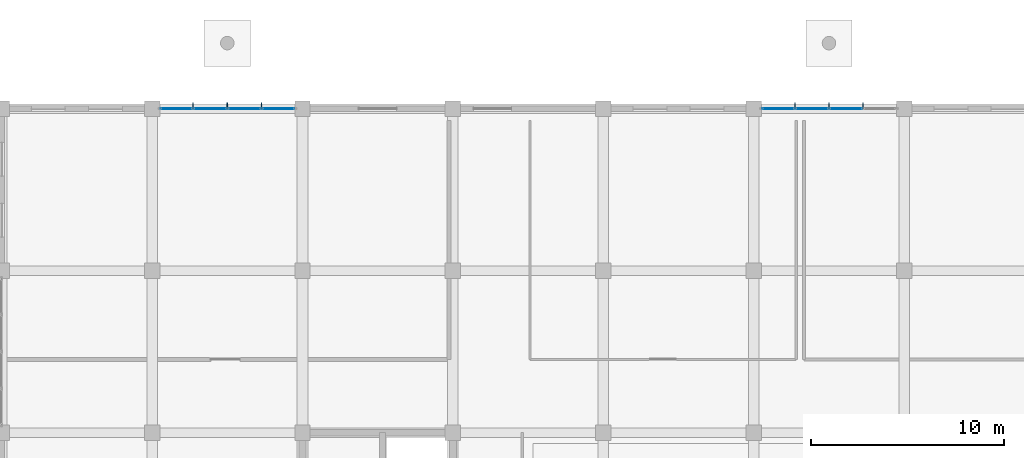
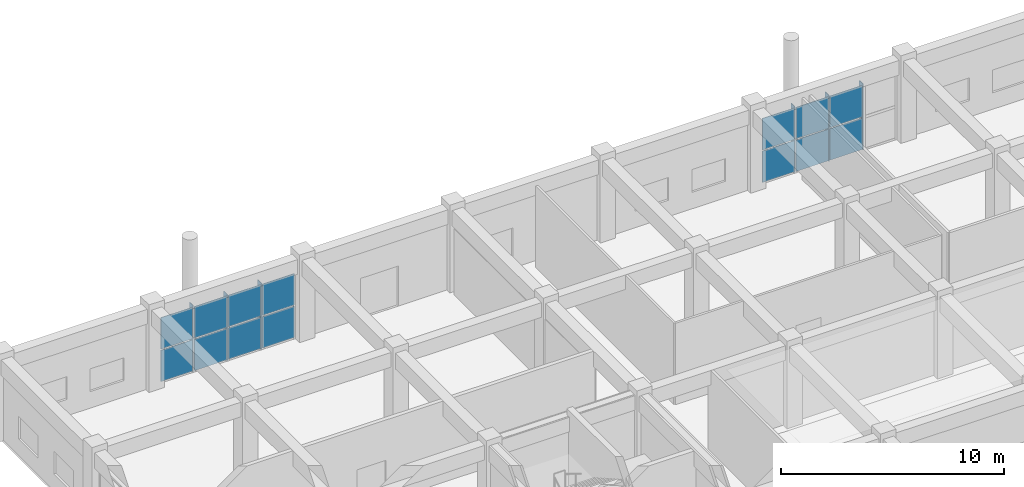
# One storey, part 118 of 139: 20 plates, 2 elements without a shape of their own.
"""IFC4 building model written with IfcOpenShell, lengths in metres."""

from ifc_helpers import new_model, si_unit, direction, frame, origin, origin_2d, place, context, subcontext, project, spatial, polyline, rectangle, outline, extrude, material, layer, layer_set, type_object, element, aggregate, save


model = new_model("IFC4")

# Units and contexts
model_context = context("Model", 3, precision=1e-05, world=origin(), true_north=direction((0.0, 1.0)))
body_context = subcontext(model_context, "Body", "Model", "MODEL_VIEW")
ifc_project = project(units=[si_unit("LENGTHUNIT", "METRE"), si_unit("AREAUNIT", "SQUARE_METRE"), si_unit("VOLUMEUNIT", "CUBIC_METRE"), si_unit("PLANEANGLEUNIT", "RADIAN"), si_unit("MASSUNIT", "GRAM", prefix="KILO")], contexts=[model_context])

# Site, building, storey
site_placement = place(None, origin())
site = spatial("IfcSite", under=ifc_project, at=site_placement, CompositionType="ELEMENT")
building_placement = place(site_placement, origin())
building = spatial("IfcBuilding", under=site, at=building_placement, Name="Zizhar Promenade General Hospital", CompositionType="ELEMENT")
storey_placement = place(building_placement, origin())
storey = spatial("IfcBuildingStorey", under=building, at=storey_placement, Name="L00", CompositionType="ELEMENT", Elevation=0.0)

# Curtain wall, plates
ifc_material_1 = material(Name="Anodised aluminium 6063-T6 and low-E glass", Category="aluminium")
ifc_layer_1 = layer(ifc_material_1, 0.159912109375)
ifc_layer_set_1 = layer_set([ifc_layer_1], Name="Anodised aluminium 6063-T6 and low-E glass")
curtain_wall_type = type_object("IfcCurtainWallType", Name="CW-DT-MOD2", PredefinedType="NOTDEFINED", material=ifc_layer_set_1)
curtain_wall_1_placement = place(storey_placement, origin())
curtain_wall_1 = element("IfcCurtainWall", 1, at=curtain_wall_1_placement, inside=storey, type_object=curtain_wall_type, Name="Surgical North Glazed Curtain Wall L00-7", PredefinedType="NOTDEFINED")
ifc_material_2 = material(Name="Low-E solar-control glass", Category="glass")
ifc_layer_2 = layer(ifc_material_2, 0.031982421875)
ifc_layer_set_2 = layer_set([ifc_layer_2], Name="Low-E solar-control glass")
plate_type_1 = type_object("IfcPlateType", Name="CWP-GLZ-32", PredefinedType="CURTAIN_PANEL", material=ifc_layer_set_2)
plate_1_placement = place(storey_placement, frame((55.864990234375, 134.39990234375, 0.06005859375), z_axis=(0.0, 0.0, 1.0), x_axis=(1.0, 0.0, 0.0)))
plate_1 = element("IfcPlate", 2, at=plate_1_placement, type_object=plate_type_1, Name="CW-08 panel 1.1", PredefinedType="CURTAIN_PANEL", context=body_context, shape_type="SweptSolid", body=[
    extrude(rectangle(XDim=1.64990234375, YDim=0.031982421875, at=origin_2d()), origin(), (0.0, 0.0, 1.0), 1.72509765625),
])
plate_2_placement = place(storey_placement, frame((55.864990234375, 134.39990234375, 1.844970703125), z_axis=(0.0, 0.0, 1.0), x_axis=(1.0, 0.0, 0.0)))
plate_2 = element("IfcPlate", 3, at=plate_2_placement, type_object=plate_type_1, Name="CW-08 panel 1.2", PredefinedType="CURTAIN_PANEL", context=body_context, shape_type="SweptSolid", body=[
    extrude(rectangle(XDim=1.64990234375, YDim=0.031982421875, at=origin_2d()), origin(), (0.0, 0.0, 1.0), 1.72509765625),
])
plate_3_placement = place(storey_placement, frame((57.614990234375, 134.39990234375, 0.06005859375), z_axis=(0.0, 0.0, 1.0), x_axis=(1.0, 0.0, 0.0)))
plate_3 = element("IfcPlate", 4, at=plate_3_placement, type_object=plate_type_1, Name="CW-08 panel 2.1", PredefinedType="CURTAIN_PANEL", context=body_context, shape_type="SweptSolid", body=[
    extrude(rectangle(XDim=1.68994140625, YDim=0.031982421875, at=origin_2d()), origin(), (0.0, 0.0, 1.0), 1.72509765625),
])
plate_4_placement = place(storey_placement, frame((57.614990234375, 134.39990234375, 1.844970703125), z_axis=(0.0, 0.0, 1.0), x_axis=(1.0, 0.0, 0.0)))
plate_4 = element("IfcPlate", 5, at=plate_4_placement, type_object=plate_type_1, Name="CW-08 panel 2.2", PredefinedType="CURTAIN_PANEL", context=body_context, shape_type="SweptSolid", body=[
    extrude(rectangle(XDim=1.68994140625, YDim=0.031982421875, at=origin_2d()), origin(), (0.0, 0.0, 1.0), 1.72509765625),
])
plate_5_placement = place(storey_placement, frame((59.385009765625, 134.39990234375, 0.06005859375), z_axis=(0.0, 0.0, 1.0), x_axis=(1.0, 0.0, 0.0)))
plate_5 = element("IfcPlate", 6, at=plate_5_placement, type_object=plate_type_1, Name="CW-08 panel 3.1", PredefinedType="CURTAIN_PANEL", context=body_context, shape_type="SweptSolid", body=[
    extrude(rectangle(XDim=1.68994140625, YDim=0.031982421875, at=origin_2d()), origin(), (0.0, 0.0, 1.0), 1.72509765625),
])
plate_6_placement = place(storey_placement, frame((59.385009765625, 134.39990234375, 1.844970703125), z_axis=(0.0, 0.0, 1.0), x_axis=(1.0, 0.0, 0.0)))
plate_6 = element("IfcPlate", 7, at=plate_6_placement, type_object=plate_type_1, Name="CW-08 panel 3.2", PredefinedType="CURTAIN_PANEL", context=body_context, shape_type="SweptSolid", body=[
    extrude(rectangle(XDim=1.68994140625, YDim=0.031982421875, at=origin_2d()), origin(), (0.0, 0.0, 1.0), 1.72509765625),
])
plate_7_placement = place(storey_placement, frame((61.135009765625, 134.39990234375, 0.06005859375), z_axis=(0.0, 0.0, 1.0), x_axis=(1.0, 0.0, 0.0)))
plate_7 = element("IfcPlate", 8, at=plate_7_placement, type_object=plate_type_1, Name="CW-08 panel 4.1", PredefinedType="CURTAIN_PANEL", context=body_context, shape_type="SweptSolid", body=[
    extrude(rectangle(XDim=1.64990234375, YDim=0.031982421875, at=origin_2d()), origin(), (0.0, 0.0, 1.0), 1.72509765625),
])
plate_8_placement = place(storey_placement, frame((61.135009765625, 134.39990234375, 1.844970703125), z_axis=(0.0, 0.0, 1.0), x_axis=(1.0, 0.0, 0.0)))
plate_8 = element("IfcPlate", 9, at=plate_8_placement, type_object=plate_type_1, Name="CW-08 panel 4.2", PredefinedType="CURTAIN_PANEL", context=body_context, shape_type="SweptSolid", body=[
    extrude(rectangle(XDim=1.64990234375, YDim=0.031982421875, at=origin_2d()), origin(), (0.0, 0.0, 1.0), 1.72509765625),
])
aggregate(curtain_wall_1, [plate_1, plate_2, plate_3, plate_4, plate_5, plate_6, plate_7, plate_8])

curtain_wall_2_placement = place(storey_placement, origin())
curtain_wall_2 = element("IfcCurtainWall", 10, at=curtain_wall_2_placement, inside=storey, type_object=curtain_wall_type, Name="Surgical North Glazed Curtain Wall L00-11", PredefinedType="NOTDEFINED")
plate_9_placement = place(storey_placement, frame((87.06494140625, 134.39990234375, 0.06005859375), z_axis=(0.0, 0.0, 1.0), x_axis=(1.0, 0.0, 0.0)))
plate_9 = element("IfcPlate", 11, at=plate_9_placement, type_object=plate_type_1, Name="CW-08 panel 1.1", PredefinedType="CURTAIN_PANEL", context=body_context, shape_type="SweptSolid", body=[
    extrude(rectangle(XDim=1.64990234375, YDim=0.031982421875, at=origin_2d()), origin(), (0.0, 0.0, 1.0), 1.72509765625),
])
plate_10_placement = place(storey_placement, frame((87.06494140625, 134.39990234375, 1.844970703125), z_axis=(0.0, 0.0, 1.0), x_axis=(1.0, 0.0, 0.0)))
plate_10 = element("IfcPlate", 12, at=plate_10_placement, type_object=plate_type_1, Name="CW-08 panel 1.2", PredefinedType="CURTAIN_PANEL", context=body_context, shape_type="SweptSolid", body=[
    extrude(rectangle(XDim=1.64990234375, YDim=0.031982421875, at=origin_2d()), origin(), (0.0, 0.0, 1.0), 1.72509765625),
])
plate_11_placement = place(storey_placement, frame((88.81494140625, 134.39990234375, 0.06005859375), z_axis=(0.0, 0.0, 1.0), x_axis=(1.0, 0.0, 0.0)))
plate_11 = element("IfcPlate", 13, at=plate_11_placement, type_object=plate_type_1, Name="CW-08 panel 2.1", PredefinedType="CURTAIN_PANEL", context=body_context, shape_type="SweptSolid", body=[
    extrude(rectangle(XDim=1.68994140625, YDim=0.031982421875, at=origin_2d()), origin(), (0.0, 0.0, 1.0), 1.72509765625),
])
plate_12_placement = place(storey_placement, frame((88.81494140625, 134.39990234375, 1.844970703125), z_axis=(0.0, 0.0, 1.0), x_axis=(1.0, 0.0, 0.0)))
plate_12 = element("IfcPlate", 14, at=plate_12_placement, type_object=plate_type_1, Name="CW-08 panel 2.2", PredefinedType="CURTAIN_PANEL", context=body_context, shape_type="SweptSolid", body=[
    extrude(rectangle(XDim=1.68994140625, YDim=0.031982421875, at=origin_2d()), origin(), (0.0, 0.0, 1.0), 1.72509765625),
])
plate_13_placement = place(storey_placement, frame((90.5849609375, 134.39990234375, 0.06005859375), z_axis=(0.0, 0.0, 1.0), x_axis=(1.0, 0.0, 0.0)))
plate_13 = element("IfcPlate", 15, at=plate_13_placement, type_object=plate_type_1, Name="CW-08 panel 3.1", PredefinedType="CURTAIN_PANEL", context=body_context, shape_type="SweptSolid", body=[
    extrude(rectangle(XDim=1.68994140625, YDim=0.031982421875, at=origin_2d()), origin(), (0.0, 0.0, 1.0), 1.72509765625),
])
plate_14_placement = place(storey_placement, frame((90.5849609375, 134.39990234375, 1.844970703125), z_axis=(0.0, 0.0, 1.0), x_axis=(1.0, 0.0, 0.0)))
plate_14 = element("IfcPlate", 16, at=plate_14_placement, type_object=plate_type_1, Name="CW-08 panel 3.2", PredefinedType="CURTAIN_PANEL", context=body_context, shape_type="SweptSolid", body=[
    extrude(rectangle(XDim=1.68994140625, YDim=0.031982421875, at=origin_2d()), origin(), (0.0, 0.0, 1.0), 1.72509765625),
])
aggregate(curtain_wall_2, [plate_9, plate_10, plate_11, plate_12, plate_13, plate_14])

# Plates
ifc_material_3 = material(Name="Anodised aluminium 6063-T6", Category="aluminium")
ifc_layer_3 = layer(ifc_material_3, 0.033935546875)
ifc_layer_set_3 = layer_set([ifc_layer_3], Name="Anodised aluminium 6063-T6")
plate_type_2 = type_object("IfcPlateType", Name="FIN-ALU-320", PredefinedType="USERDEFINED", material=ifc_layer_set_3)
plate_15_placement = place(storey_placement, origin())
element("IfcPlate", 17, at=plate_15_placement, inside=storey, type_object=plate_type_2, Name="Surgical North Glazed Curtain Wall L00-7 Solar Fin 1", ObjectType="SOLAR_SHADE", PredefinedType="USERDEFINED", context=body_context, shape_type="SweptSolid", body=[
    extrude(outline(polyline([(56.712890625, 134.39990234375), (56.7470703125, 134.39990234375), (56.7470703125, 134.719970703125), (56.712890625, 134.719970703125), (56.712890625, 134.39990234375)])), origin(), (0.0, 0.0, 1.0), 3.6298828125),
])
plate_16_placement = place(storey_placement, origin())
element("IfcPlate", 18, at=plate_16_placement, inside=storey, type_object=plate_type_2, Name="Surgical North Glazed Curtain Wall L00-7 Solar Fin 2", ObjectType="SOLAR_SHADE", PredefinedType="USERDEFINED", context=body_context, shape_type="SweptSolid", body=[
    extrude(outline(polyline([(58.48291015625, 134.39990234375), (58.51708984375, 134.39990234375), (58.51708984375, 134.719970703125), (58.48291015625, 134.719970703125), (58.48291015625, 134.39990234375)])), origin(), (0.0, 0.0, 1.0), 3.6298828125),
])
plate_17_placement = place(storey_placement, origin())
element("IfcPlate", 19, at=plate_17_placement, inside=storey, type_object=plate_type_2, Name="Surgical North Glazed Curtain Wall L00-7 Solar Fin 3", ObjectType="SOLAR_SHADE", PredefinedType="USERDEFINED", context=body_context, shape_type="SweptSolid", body=[
    extrude(outline(polyline([(60.2529296875, 134.39990234375), (60.287109375, 134.39990234375), (60.287109375, 134.719970703125), (60.2529296875, 134.719970703125), (60.2529296875, 134.39990234375)])), origin(), (0.0, 0.0, 1.0), 3.6298828125),
])
plate_18_placement = place(storey_placement, origin())
element("IfcPlate", 20, at=plate_18_placement, inside=storey, type_object=plate_type_2, Name="Surgical North Glazed Curtain Wall L00-11 Solar Fin 1", ObjectType="SOLAR_SHADE", PredefinedType="USERDEFINED", context=body_context, shape_type="SweptSolid", body=[
    extrude(outline(polyline([(87.9130859375, 134.39990234375), (87.947021484375, 134.39990234375), (87.947021484375, 134.719970703125), (87.9130859375, 134.719970703125), (87.9130859375, 134.39990234375)])), origin(), (0.0, 0.0, 1.0), 3.6298828125),
])
plate_19_placement = place(storey_placement, origin())
element("IfcPlate", 21, at=plate_19_placement, inside=storey, type_object=plate_type_2, Name="Surgical North Glazed Curtain Wall L00-11 Solar Fin 2", ObjectType="SOLAR_SHADE", PredefinedType="USERDEFINED", context=body_context, shape_type="SweptSolid", body=[
    extrude(outline(polyline([(89.68310546875, 134.39990234375), (89.717041015625, 134.39990234375), (89.717041015625, 134.719970703125), (89.68310546875, 134.719970703125), (89.68310546875, 134.39990234375)])), origin(), (0.0, 0.0, 1.0), 3.6298828125),
])
plate_20_placement = place(storey_placement, origin())
element("IfcPlate", 22, at=plate_20_placement, inside=storey, type_object=plate_type_2, Name="Surgical North Glazed Curtain Wall L00-11 Solar Fin 3", ObjectType="SOLAR_SHADE", PredefinedType="USERDEFINED", context=body_context, shape_type="SweptSolid", body=[
    extrude(outline(polyline([(91.452880859375, 134.39990234375), (91.487060546875, 134.39990234375), (91.487060546875, 134.719970703125), (91.452880859375, 134.719970703125), (91.452880859375, 134.39990234375)])), origin(), (0.0, 0.0, 1.0), 3.6298828125),
])

save(model, "model.ifc")
